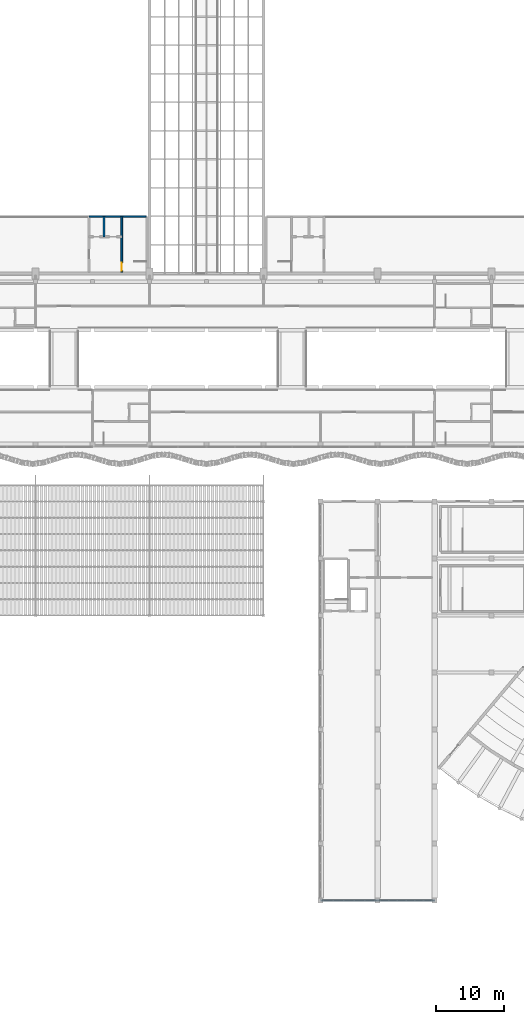
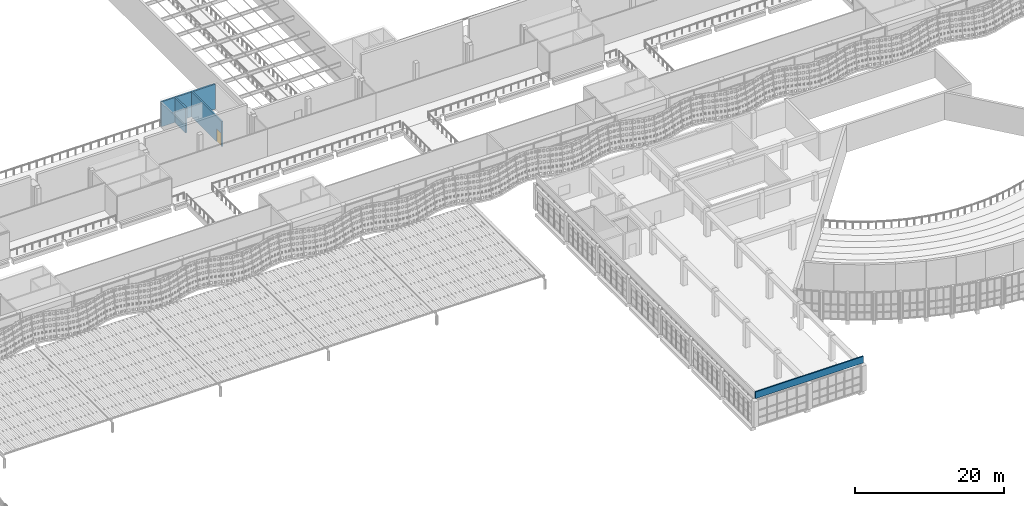
# One storey, part 84 of 162: 4 walls, 1 door, 1 opening.
"""IFC4 building model written with IfcOpenShell, lengths in metres."""

import ifcopenshell
import ifcopenshell.guid

model = None  # the IFC model being written
_history = None  # IfcOwnerHistory: only IFC2X3 demands one
_inside = {}  # id of a spatial element -> (the spatial element, [elements in it])
_under = {}  # id of a project, library or spatial element -> (it, [spatial elements below it])
_declared = {}  # id of a project -> (the project, [libraries it declares])
_typed = {}  # id of a type object -> (the type object, [elements of that type])
_made_of = {}  # id of a material, layer set ... -> (it, [elements and type objects made of it])


def new_model(schema):
    """Start an empty IFC model of exactly this schema.

    Asked for "IFC4X3", IfcOpenShell would pick the latest addendum, in which some entities
    have other attributes; the version numbers below select the first issue.
    IFC2X3 requires an IfcOwnerHistory on every rooted entity: one is made here for all.
    """
    global model, _history
    if schema == "IFC4X3":
        model = ifcopenshell.file(schema_version=(4, 3, 0, 0))
    else:
        model = ifcopenshell.file(schema=schema)
    _inside.clear()
    _under.clear()
    _declared.clear()
    _typed.clear()
    _made_of.clear()
    _history = None
    if model.schema == "IFC2X3":
        org = make("IfcOrganization", Name="unknown")
        user = make(
            "IfcPersonAndOrganization",
            ThePerson=make("IfcPerson", FamilyName="unknown"),
            TheOrganization=org,
        )
        app = make(
            "IfcApplication",
            ApplicationDeveloper=org,
            Version="unknown",
            ApplicationFullName="unknown",
            ApplicationIdentifier="unknown",
        )
        _history = make(
            "IfcOwnerHistory",
            OwningUser=user,
            OwningApplication=app,
            ChangeAction="ADDED",
            CreationDate=0,
        )
    return model


def make(cls, **values):
    """One entity of the class cls with the attributes given. An attribute that is None is left unset."""
    return model.create_entity(
        cls, **{name: value for name, value in values.items() if value is not None}
    )


def rooted(cls, **values):
    """An entity with a GlobalId (a new one), such as an element, a storey or a relation."""
    return make(cls, GlobalId=ifcopenshell.guid.new(), OwnerHistory=_history, **values)


def si_unit(unit_type, name, prefix=None):
    """IfcSIUnit, for example si_unit("LENGTHUNIT", "METRE", prefix="MILLI")."""
    return make("IfcSIUnit", UnitType=unit_type, Prefix=prefix, Name=name)


def assignment(units):
    """IfcUnitAssignment: the units of a project."""
    return None if units is None else make("IfcUnitAssignment", Units=units)


def point(xyz):
    """IfcCartesianPoint."""
    return None if xyz is None else make("IfcCartesianPoint", Coordinates=xyz)


def direction(xyz):
    """IfcDirection."""
    return None if xyz is None else make("IfcDirection", DirectionRatios=xyz)


def frame(location, z_axis=None, x_axis=None):
    """IfcAxis2Placement3D, a coordinate frame: its origin and axes. An axis left out is left unset."""
    return make(
        "IfcAxis2Placement3D",
        Location=point(location),
        Axis=direction(z_axis),
        RefDirection=direction(x_axis),
    )


def frame_2d(location, x_axis=None):
    """IfcAxis2Placement2D, a coordinate frame in the plane: its origin and x axis."""
    return make(
        "IfcAxis2Placement2D", Location=point(location), RefDirection=direction(x_axis)
    )


def origin():
    """The frame at (0, 0, 0) with its axes left unset."""
    return frame((0.0, 0.0, 0.0))


def place(relative_to, where):
    """IfcLocalPlacement: puts the frame where relative to a parent placement (None: the world)."""
    return make(
        "IfcLocalPlacement", PlacementRelTo=relative_to, RelativePlacement=where
    )


def context(
    kind, dimensions, precision=None, world=None, true_north=None, identifier=None
):
    """IfcGeometricRepresentationContext, for example the 3D "Model" context."""
    return make(
        "IfcGeometricRepresentationContext",
        ContextIdentifier=identifier,
        ContextType=kind,
        CoordinateSpaceDimension=dimensions,
        Precision=precision,
        WorldCoordinateSystem=world,
        TrueNorth=true_north,
    )


def subcontext(parent, identifier, kind, view, scale=None):
    """IfcGeometricRepresentationSubContext, for example "Body" below "Model"."""
    return make(
        "IfcGeometricRepresentationSubContext",
        ContextIdentifier=identifier,
        ContextType=kind,
        ParentContext=parent,
        TargetScale=scale,
        TargetView=view,
    )


def project(units=None, contexts=None):
    """IfcProject with its units and contexts."""
    return rooted(
        "IfcProject",
        Name="project",
        RepresentationContexts=contexts,
        UnitsInContext=assignment(units),
    )


def spatial(cls, under=None, at=None, **own):
    """A site, building, storey or space (cls), placed at a placement, below another one or the project."""
    s = rooted(cls, ObjectPlacement=at, **own)
    if under is not None:
        _under.setdefault(under.id(), (under, []))[1].append(s)
    return s


def profile(cls, at=None, kind="AREA", **sizes):
    """A parametric profile (cls). Its sizes go by their IFC names, for example OverallWidth=200.0."""
    return make(cls, ProfileType=kind, Position=at, **sizes)


def rectangle(**sizes):
    """IfcRectangleProfileDef."""
    return profile("IfcRectangleProfileDef", **sizes)


def extrude(swept, where, along, depth):
    """IfcExtrudedAreaSolid: the profile swept, set in the frame where, extruded along a direction by depth."""
    return make(
        "IfcExtrudedAreaSolid",
        SweptArea=swept,
        Position=where,
        ExtrudedDirection=direction(along),
        Depth=depth,
    )


def shape(context_of_items, identifier, shape_type, items):
    """IfcShapeRepresentation: the items that make up one representation, for example the "Body"."""
    return make(
        "IfcShapeRepresentation",
        ContextOfItems=context_of_items,
        RepresentationIdentifier=identifier,
        RepresentationType=shape_type,
        Items=items,
    )


def material(Name=None, Category=None):
    """IfcMaterial."""
    return make("IfcMaterial", Name=Name, Category=Category)


def layer(
    of_material, thickness, ventilated=None, Name=None, Category=None, Priority=None
):
    """IfcMaterialLayer: one layer of a wall or slab, of a material (None: an air gap)."""
    return make(
        "IfcMaterialLayer",
        Material=of_material,
        LayerThickness=thickness,
        IsVentilated=ventilated,
        Name=Name,
        Category=Category,
        Priority=Priority,
    )


def layer_set(layers, Name=None):
    """IfcMaterialLayerSet."""
    return make("IfcMaterialLayerSet", MaterialLayers=layers, LayerSetName=Name)


def made_of(thing, what):
    """Note that an element or type object is made of a material, layer set ...; save() writes the relation."""
    if what is not None:
        _made_of.setdefault(what.id(), (what, []))[1].append(thing)
    return thing


def type_object(cls, material=None, **own):
    """A type object (cls), such as IfcWallType, which elements share."""
    return made_of(rooted(cls, **own), material)


def element(
    cls,
    number,
    at=None,
    inside=None,
    cuts=None,
    type_object=None,
    material=None,
    context=None,
    identifier="Body",
    shape_type=None,
    held_by="IfcProductDefinitionShape",
    body=None,
    shapes=None,
    **own,
):
    """One element of the class cls, such as IfcWall. Its Tag is "e" and its number.

    at: its placement. inside: the storey or other place that contains it. cuts: it is an
    opening in that element (IfcRelVoidsElement). A single representation is given by context,
    identifier, shape_type and body (its items); several are given by shapes. held_by: the class
    of the entity that holds the representations. save() writes the other relations.
    """
    e = rooted(cls, Tag="e%d" % number, ObjectPlacement=at, **own)
    if body is not None:
        shapes = [shape(context, identifier, shape_type, body)]
    if shapes is not None:
        e.Representation = make(held_by, Representations=shapes)
    if inside is not None:
        _inside.setdefault(inside.id(), (inside, []))[1].append(e)
    if cuts is not None:
        rooted(
            "IfcRelVoidsElement", RelatingBuildingElement=cuts, RelatedOpeningElement=e
        )
    if type_object is not None:
        _typed.setdefault(type_object.id(), (type_object, []))[1].append(e)
    return made_of(e, material)


def fill(opening, filler):
    """IfcRelFillsElement: the door or window that sits in an opening."""
    return rooted(
        "IfcRelFillsElement",
        RelatingOpeningElement=opening,
        RelatedBuildingElement=filler,
    )


def aggregate(whole, parts):
    """IfcRelAggregates: a whole, such as a stair, and the parts it consists of."""
    return rooted("IfcRelAggregates", RelatingObject=whole, RelatedObjects=parts)


def save(model, path):
    """Write the relations noted so far, then the file.

    IfcRelAggregates (storeys below a building ...), IfcRelContainedInSpatialStructure (elements
    in a storey), IfcRelDefinesByType, IfcRelAssociatesMaterial and IfcRelDeclares: one each for
    every whole, place, type object, material and project.
    """
    for whole, parts in _under.values():
        aggregate(whole, parts)
    for where, things in _inside.values():
        rooted(
            "IfcRelContainedInSpatialStructure",
            RelatedElements=things,
            RelatingStructure=where,
        )
    for kind, things in _typed.values():
        rooted("IfcRelDefinesByType", RelatedObjects=things, RelatingType=kind)
    for what, things in _made_of.values():
        rooted("IfcRelAssociatesMaterial", RelatedObjects=things, RelatingMaterial=what)
    for by, libraries in _declared.values():
        rooted("IfcRelDeclares", RelatingContext=by, RelatedDefinitions=libraries)
    model.write(path)


model = new_model("IFC4")

# Units and contexts
model_context = context("Model", 3, precision=1e-05, world=origin(), true_north=direction((0.0, 1.0)))
body_context = subcontext(model_context, "Body", "Model", "MODEL_VIEW")
ifc_project = project(units=[si_unit("LENGTHUNIT", "METRE"), si_unit("AREAUNIT", "SQUARE_METRE"), si_unit("VOLUMEUNIT", "CUBIC_METRE"), si_unit("PLANEANGLEUNIT", "RADIAN"), si_unit("MASSUNIT", "GRAM", prefix="KILO")], contexts=[model_context])

# Site, building, storey
site_placement = place(None, origin())
site = spatial("IfcSite", under=ifc_project, at=site_placement, CompositionType="ELEMENT")
building_placement = place(site_placement, origin())
building = spatial("IfcBuilding", under=site, at=building_placement, Name="Rain Tree Exposition and Congress Centre", CompositionType="ELEMENT")
storey_placement = place(building_placement, frame((0.0, 0.0, 6.0)))
storey = spatial("IfcBuildingStorey", under=building, at=storey_placement, Name="L01", CompositionType="ELEMENT", Elevation=6.0)

# Wall, opening, door
ifc_material_1 = material(Name="Concrete C40/50", Category="concrete")
ifc_layer_1 = layer(ifc_material_1, 0.25)
ifc_layer_set_1 = layer_set([ifc_layer_1], Name="Concrete C40/50")
wall_type_1 = type_object("IfcWallType", Name="Core wall 250", PredefinedType="SHEAR", material=ifc_layer_set_1)
wall_1_placement = place(storey_placement, frame((121.89990234375, 101.0, 0.0), z_axis=(0.0, 0.0, 1.0), x_axis=(0.0, 1.0, 0.0)))
wall_1 = element("IfcWall", 1, at=wall_1_placement, inside=storey, type_object=wall_type_1, Name="Stair wall 2", PredefinedType="SHEAR", context=body_context, shape_type="SweptSolid", body=[
    extrude(rectangle(XDim=8.199951171875, YDim=0.25, at=frame_2d((4.10009765625, 0.0))), origin(), (0.0, 0.0, 1.0), 4.10009765625),
])
opening_placement = place(wall_1_placement, frame((0.199951171875, 0.0, 0.0)))
opening = element("IfcOpeningElement", 2, at=opening_placement, cuts=wall_1, Name="Opening DH193", PredefinedType="OPENING", context=body_context, shape_type="SweptSolid", body=[
    extrude(rectangle(XDim=1.199951171875, YDim=2.10009765625, at=frame_2d((0.60009765625, 1.050048828125))), frame((0.0, 0.125, 0.0), z_axis=(0.0, -1.0, 0.0), x_axis=(1.0, 0.0, 0.0)), (0.0, 0.0, 1.0), 0.25),
])
ifc_material_2 = material(Name="Painted steel fire door", Category="steel")
door_type = type_object("IfcDoorType", Name="Stair fire door 1200x2100", OperationType="NOTDEFINED", PredefinedType="DOOR", material=ifc_material_2)
door_placement = place(opening_placement, origin())
door = element("IfcDoor", 3, at=door_placement, inside=storey, type_object=door_type, Name="Door DH193", OperationType="SINGLE_SWING_LEFT", OverallHeight=2.10009765625, OverallWidth=1.199951171875, PredefinedType="DOOR", context=body_context, shape_type="SweptSolid", body=[
    extrude(rectangle(XDim=1.199951171875, YDim=2.10009765625, at=frame_2d((0.60009765625, 1.050048828125))), frame((0.0, 0.02490234375, 0.0), z_axis=(0.0, -1.0, 0.0), x_axis=(1.0, 0.0, 0.0)), (0.0, 0.0, 1.0), 0.050048828125),
])
fill(opening, door)

# Walls
wall_2_placement = place(storey_placement, frame((125.5, 109.199951171875, 0.0), z_axis=(0.0, 0.0, 1.0), x_axis=(-1.0, 0.0, 0.0)))
element("IfcWall", 4, at=wall_2_placement, inside=storey, type_object=wall_type_1, Name="Core north wall 2", PredefinedType="SHEAR", context=body_context, shape_type="SweptSolid", body=[
    extrude(rectangle(XDim=8.39990234375, YDim=0.25, at=frame_2d((4.199951171875, 0.0))), origin(), (0.0, 0.0, 1.0), 4.10009765625),
])
wall_3_placement = place(storey_placement, frame((119.300048828125, 106.199951171875, 0.0), z_axis=(0.0, 0.0, 1.0), x_axis=(0.0, 1.0, 0.0)))
element("IfcWall", 5, at=wall_3_placement, inside=storey, type_object=wall_type_1, Name="Lift shaft wall 2", PredefinedType="SHEAR", context=body_context, shape_type="SweptSolid", body=[
    extrude(rectangle(XDim=3.0, YDim=0.25, at=frame_2d((1.5, 0.0))), origin(), (0.0, 0.0, 1.0), 4.10009765625),
])
ifc_material_3 = material(Name="Concrete C40/50", Category="concrete")
ifc_layer_2 = layer(ifc_material_3, 0.199951171875)
ifc_layer_set_2 = layer_set([ifc_layer_2], Name="Concrete C40/50")
wall_type_2 = type_object("IfcWallType", Name="Parapet wall 200 congress", PredefinedType="PARAPET", material=ifc_layer_set_2)
wall_4_placement = place(storey_placement, frame((151.199951171875, 8.39990234375, 4.5), z_axis=(0.0, 0.0, 1.0), x_axis=(1.0, 0.0, 0.0)))
element("IfcWall", 6, at=wall_4_placement, inside=storey, type_object=wall_type_2, Name="Foyer parapet 1", PredefinedType="PARAPET", context=body_context, shape_type="SweptSolid", body=[
    extrude(rectangle(XDim=16.800048828125, YDim=0.199951171875, at=frame_2d((8.39990234375, 0.0))), origin(), (0.0, 0.0, 1.0), 1.10009765625),
])

save(model, "model.ifc")
